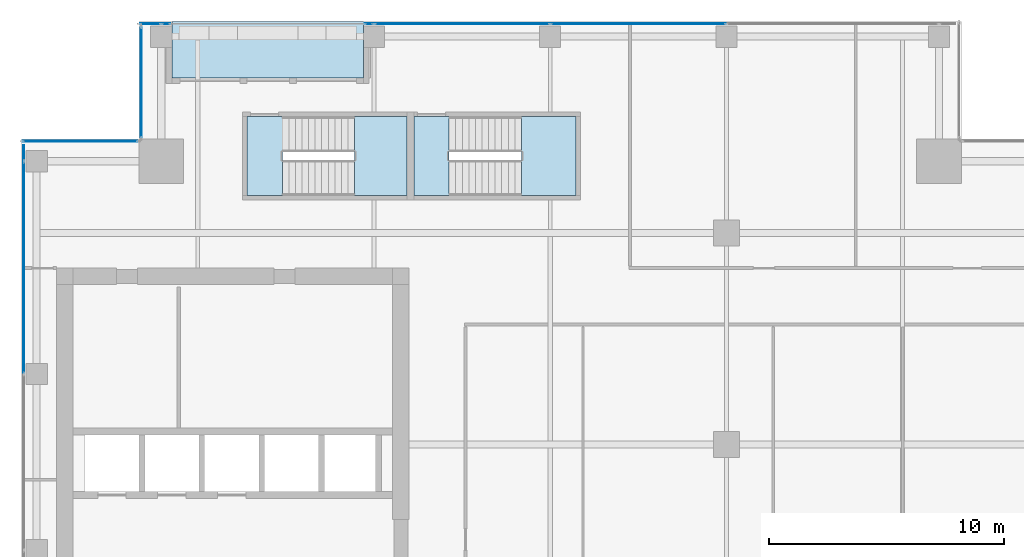
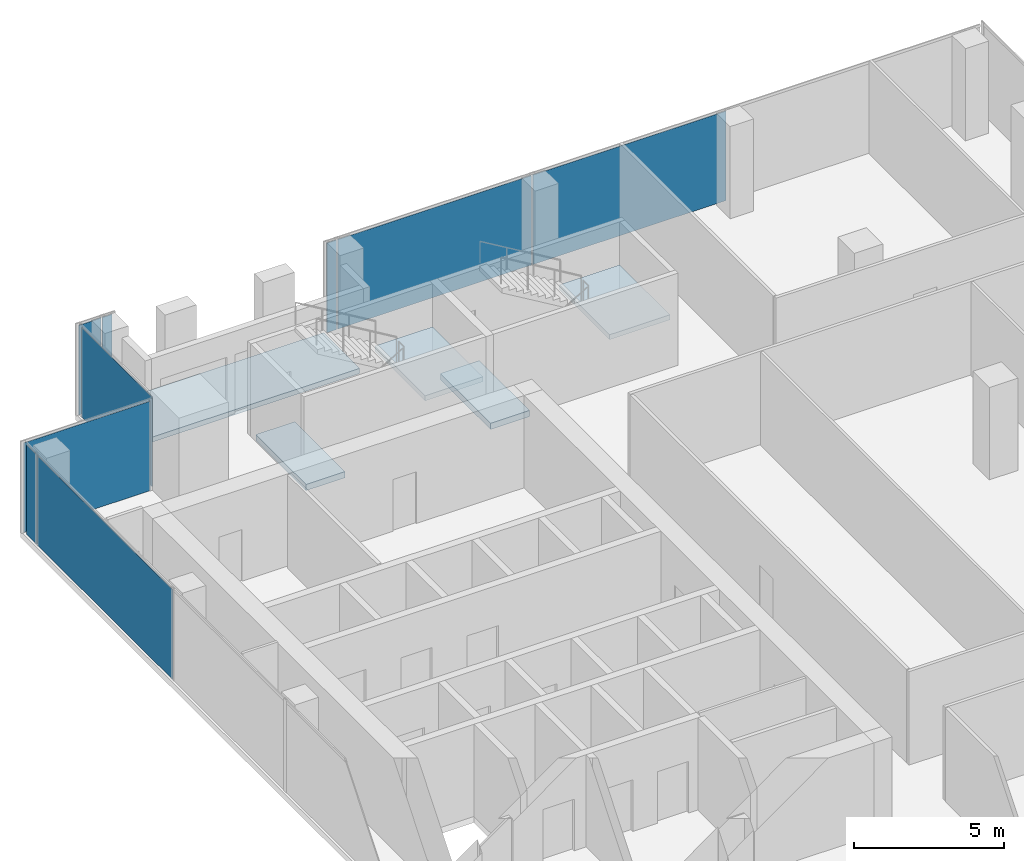
# One storey, part 28 of 35: 9 plates, 5 slabs, 7 elements without a shape of their own.
"""IFC4 building model written with IfcOpenShell, lengths in metres."""

from ifc_helpers import new_model, si_unit, direction, frame, origin, origin_2d, place, context, subcontext, project, spatial, polyline, rectangle, outline, extrude, source, transform, mapped, material, layer, layer_set, type_object, element, aggregate, save


model = new_model("IFC4")

# Units and contexts
model_context = context("Model", 3, precision=1e-05, world=origin(), true_north=direction((0.0, 1.0)))
body_context = subcontext(model_context, "Body", "Model", "MODEL_VIEW")
ifc_project = project(units=[si_unit("LENGTHUNIT", "METRE"), si_unit("AREAUNIT", "SQUARE_METRE"), si_unit("VOLUMEUNIT", "CUBIC_METRE"), si_unit("PLANEANGLEUNIT", "RADIAN"), si_unit("MASSUNIT", "GRAM", prefix="KILO")], contexts=[model_context])

# Site, building, storey
site_placement = place(None, origin())
site = spatial("IfcSite", under=ifc_project, at=site_placement, CompositionType="ELEMENT")
building_placement = place(site_placement, origin())
building = spatial("IfcBuilding", under=site, at=building_placement, Name="Khomas Fold Tower", CompositionType="ELEMENT")
storey_placement = place(building_placement, frame((0.0, 0.0, 262.199951171875)))
storey = spatial("IfcBuildingStorey", under=building, at=storey_placement, Name="L59", CompositionType="ELEMENT", Elevation=262.199951171875)

# Curtain wall, plate
ifc_material_1 = material(Name="Aluminium framed double glazing", Category="aluminium")
curtain_wall_type = type_object("IfcCurtainWallType", Name="SK-Unitised clear-glass wall, office floors CW2", PredefinedType="NOTDEFINED", material=ifc_material_1)
curtain_wall_1_placement = place(storey_placement, origin())
curtain_wall_1 = element("IfcCurtainWall", 1, at=curtain_wall_1_placement, inside=storey, type_object=curtain_wall_type, Name="CW2 run L59 09-0", PredefinedType="NOTDEFINED")
ifc_material_2 = material(Name="Clear double glazed unit")
ifc_layer_1 = layer(ifc_material_2, 0.030029296875)
ifc_layer_set_1 = layer_set([ifc_layer_1], Name="Clear double glazed unit")
plate_type = type_object("IfcPlateType", Name="SK-Unitised clear-glass wall, office floors glass panel CW2-P", PredefinedType="CURTAIN_PANEL", material=ifc_layer_set_1)
shared_shape_1 = source(origin(), body_context, "Body", "SweptSolid", [
    extrude(rectangle(XDim=0.659912109375, YDim=0.030029296875, at=origin_2d()), origin(), (0.0, 0.0, 1.0), 3.639892578125),
])
plate_1_placement = place(storey_placement, frame((4.60009765625, 43.909912109375, 0.0), z_axis=(0.0, 0.0, 1.0), x_axis=(0.0, -1.0, 0.0)))
plate_1 = element("IfcPlate", 2, at=plate_1_placement, type_object=plate_type, Name="CW2 glass panel 1", PredefinedType="CURTAIN_PANEL", context=body_context, shape_type="MappedRepresentation", body=[
    mapped(shared_shape_1, transform((0.0, 0.0, 0.0))),
])

# Curtain wall, plates
curtain_wall_2_placement = place(storey_placement, origin())
curtain_wall_2 = element("IfcCurtainWall", 3, at=curtain_wall_2_placement, inside=storey, type_object=curtain_wall_type, Name="CW2 run L59 06-0", PredefinedType="NOTDEFINED")
shared_shape_2 = source(origin(), body_context, "Body", "SweptSolid", [
    extrude(rectangle(XDim=7.43994140625, YDim=0.030029296875, at=origin_2d()), origin(), (0.0, 0.0, 1.0), 3.639892578125),
])
plate_2_placement = place(storey_placement, frame((30.75, 49.39990234375, 0.0), z_axis=(0.0, 0.0, 1.0), x_axis=(-1.0, 0.0, 0.0)))
plate_2 = element("IfcPlate", 4, at=plate_2_placement, type_object=plate_type, Name="CW2 glass panel 3", PredefinedType="CURTAIN_PANEL", context=body_context, shape_type="MappedRepresentation", body=[
    mapped(shared_shape_2, transform((0.0, 0.0, 0.0))),
])
plate_3_placement = place(storey_placement, frame((23.25, 49.39990234375, 0.0), z_axis=(0.0, 0.0, 1.0), x_axis=(-1.0, 0.0, 0.0)))
plate_3 = element("IfcPlate", 5, at=plate_3_placement, type_object=plate_type, Name="CW2 glass panel 4", PredefinedType="CURTAIN_PANEL", context=body_context, shape_type="MappedRepresentation", body=[
    mapped(shared_shape_2, transform((0.0, 0.0, 0.0))),
])

# Curtain wall, plate
curtain_wall_3_placement = place(storey_placement, origin())
curtain_wall_3 = element("IfcCurtainWall", 6, at=curtain_wall_3_placement, inside=storey, type_object=curtain_wall_type, Name="CW2 run L59 06-1", PredefinedType="NOTDEFINED")
shared_shape_3 = source(origin(), body_context, "Body", "SweptSolid", [
    extrude(rectangle(XDim=0.860107421875, YDim=0.030029296875, at=origin_2d()), origin(), (0.0, 0.0, 1.0), 3.639892578125),
])
plate_4_placement = place(storey_placement, frame((9.989990234375, 49.39990234375, 0.0), z_axis=(0.0, 0.0, 1.0), x_axis=(-1.0, 0.0, 0.0)))
plate_4 = element("IfcPlate", 7, at=plate_4_placement, type_object=plate_type, Name="CW2 glass panel 2", PredefinedType="CURTAIN_PANEL", context=body_context, shape_type="MappedRepresentation", body=[
    mapped(shared_shape_3, transform((0.0, 0.0, 0.0))),
])

# Plate
shared_shape_4 = source(origin(), body_context, "Body", "SweptSolid", [
    extrude(rectangle(XDim=8.989990234375, YDim=0.030029296875, at=origin_2d()), origin(), (0.0, 0.0, 1.0), 3.639892578125),
])
plate_5_placement = place(storey_placement, frame((4.60009765625, 39.02490234375, 0.0), z_axis=(0.0, 0.0, 1.0), x_axis=(0.0, -1.0, 0.0)))
plate_5 = element("IfcPlate", 8, at=plate_5_placement, type_object=plate_type, Name="CW2 glass panel 2", PredefinedType="CURTAIN_PANEL", context=body_context, shape_type="MappedRepresentation", body=[
    mapped(shared_shape_4, transform((0.0, 0.0, 0.0))),
])

aggregate(curtain_wall_1, [plate_1, plate_5])

# Curtain wall, plate
curtain_wall_4_placement = place(storey_placement, origin())
curtain_wall_4 = element("IfcCurtainWall", 9, at=curtain_wall_4_placement, inside=storey, type_object=curtain_wall_type, Name="CW2 corner return L59 07", PredefinedType="NOTDEFINED")
shared_shape_5 = source(origin(), body_context, "Body", "SweptSolid", [
    extrude(rectangle(XDim=4.679931640625, YDim=0.030029296875, at=origin_2d()), origin(), (0.0, 0.0, 1.0), 3.639892578125),
])
plate_6_placement = place(storey_placement, frame((9.60009765625, 46.89990234375, 0.0), z_axis=(0.0, 0.0, 1.0), x_axis=(0.0, -1.0, 0.0)))
plate_6 = element("IfcPlate", 10, at=plate_6_placement, type_object=plate_type, Name="CW2 glass panel 1", PredefinedType="CURTAIN_PANEL", context=body_context, shape_type="MappedRepresentation", body=[
    mapped(shared_shape_5, transform((0.0, 0.0, 0.0))),
])
aggregate(curtain_wall_4, [plate_6])

curtain_wall_5_placement = place(storey_placement, origin())
curtain_wall_5 = element("IfcCurtainWall", 11, at=curtain_wall_5_placement, inside=storey, type_object=curtain_wall_type, Name="CW2 corner return L59 08", PredefinedType="NOTDEFINED")
shared_shape_6 = source(origin(), body_context, "Body", "SweptSolid", [
    extrude(rectangle(XDim=4.8798828125, YDim=0.030029296875, at=origin_2d()), origin(), (0.0, 0.0, 1.0), 3.639892578125),
])
plate_7_placement = place(storey_placement, frame((7.0, 44.39990234375, 0.0), z_axis=(0.0, 0.0, 1.0), x_axis=(-1.0, 0.0, 0.0)))
plate_7 = element("IfcPlate", 12, at=plate_7_placement, type_object=plate_type, Name="CW2 glass panel 1", PredefinedType="CURTAIN_PANEL", context=body_context, shape_type="MappedRepresentation", body=[
    mapped(shared_shape_6, transform((0.0, 0.0, 0.0))),
])
aggregate(curtain_wall_5, [plate_7])

# Plate
shared_shape_7 = source(origin(), body_context, "Body", "SweptSolid", [
    extrude(rectangle(XDim=0.360107421875, YDim=0.030029296875, at=origin_2d()), origin(), (0.0, 0.0, 1.0), 3.639892578125),
])
plate_8_placement = place(storey_placement, frame((19.2900390625, 49.39990234375, 0.0), z_axis=(0.0, 0.0, 1.0), x_axis=(-1.0, 0.0, 0.0)))
plate_8 = element("IfcPlate", 13, at=plate_8_placement, type_object=plate_type, Name="CW2 glass panel 5", PredefinedType="CURTAIN_PANEL", context=body_context, shape_type="MappedRepresentation", body=[
    mapped(shared_shape_7, transform((0.0, 0.0, 0.0))),
])

aggregate(curtain_wall_2, [plate_2, plate_3, plate_8])

plate_9_placement = place(storey_placement, frame((10.659912109375, 49.39990234375, 0.0), z_axis=(0.0, 0.0, 1.0), x_axis=(-1.0, 0.0, 0.0)))
plate_9 = element("IfcPlate", 14, at=plate_9_placement, type_object=plate_type, Name="CW2 glass panel 1", PredefinedType="CURTAIN_PANEL", context=body_context, shape_type="MappedRepresentation", body=[
    mapped(shared_shape_7, transform((0.0, 0.0, 0.0))),
])

aggregate(curtain_wall_3, [plate_9, plate_4])

# Slab
ifc_material_3 = material(Name="Concrete C40/50", Category="concrete")
ifc_layer_2 = layer(ifc_material_3, 0.205078125)
ifc_layer_set_2 = layer_set([ifc_layer_2], Name="Concrete C40/50")
slab_type_1 = type_object("IfcSlabType", Name="BL-Balcony deck 205", PredefinedType="FLOOR", material=ifc_layer_set_2)
shared_shape_8 = source(origin(), body_context, "Body", "SweptSolid", [
    extrude(outline(polyline([(10.89990234375, 47.10009765625), (19.050048828125, 47.10009765625), (19.050048828125, 49.5), (10.89990234375, 49.5), (10.89990234375, 47.10009765625)])), origin(), (0.0, 0.0, 1.0), 0.205078125),
])
slab_1_placement = place(storey_placement, frame((0.0, 0.0, -0.25)))
element("IfcSlab", 15, at=slab_1_placement, inside=storey, type_object=slab_type_1, Name="Balcony deck BAL-L59-N1", PredefinedType="FLOOR", context=body_context, shape_type="MappedRepresentation", body=[
    mapped(shared_shape_8, transform((0.0, 0.0, 0.0))),
])

# Stair, slab
ifc_material_4 = material(Name="Concrete C40/50", Category="concrete")
stair_type_1 = type_object("IfcStairType", Name="Stair ST1", PredefinedType="HALF_TURN_STAIR", material=ifc_material_4)
stair_1_placement = place(storey_placement, origin())
stair_1 = element("IfcStair", 16, at=stair_1_placement, inside=storey, type_object=stair_type_1, Name="L59 ST1", PredefinedType="HALF_TURN_STAIR")
ifc_material_5 = material(Name="Concrete C40/50", Category="concrete")
ifc_layer_3 = layer(ifc_material_5, 0.199951171875)
ifc_layer_set_3 = layer_set([ifc_layer_3], Name="Concrete C40/50")
slab_type_2 = type_object("IfcSlabType", Name="Stair landing 200", PredefinedType="LANDING", material=ifc_layer_set_3)
shared_shape_9 = source(origin(), body_context, "Body", "SweptSolid", [
    extrude(outline(polyline([(18.679931640625, 42.10009765625), (20.89990234375, 42.10009765625), (20.89990234375, 45.449951171875), (18.679931640625, 45.449951171875), (18.679931640625, 42.10009765625)])), origin(), (0.0, 0.0, 1.0), 0.199951171875),
])
slab_2_placement = place(storey_placement, frame((0.0, 0.0, 1.800048828125)))
slab_2 = element("IfcSlab", 17, at=slab_2_placement, type_object=slab_type_2, Name="ST1 landing 1", PredefinedType="LANDING", context=body_context, shape_type="MappedRepresentation", body=[
    mapped(shared_shape_9, transform((0.0, 0.0, 0.0))),
])
aggregate(stair_1, [slab_2])

# Slab
ifc_material_6 = material(Name="Concrete C40/50", Category="concrete")
ifc_layer_4 = layer(ifc_material_6, 0.25)
ifc_layer_set_4 = layer_set([ifc_layer_4], Name="Concrete C40/50")
slab_type_3 = type_object("IfcSlabType", Name="Stair floor landing 250", PredefinedType="LANDING", material=ifc_layer_set_4)
shared_shape_10 = source(origin(), body_context, "Body", "SweptSolid", [
    extrude(outline(polyline([(15.60009765625, 42.10009765625), (14.10009765625, 42.10009765625), (14.10009765625, 45.449951171875), (15.60009765625, 45.449951171875), (15.60009765625, 42.10009765625)])), origin(), (0.0, 0.0, 1.0), 0.25),
])
slab_3_placement = place(storey_placement, frame((0.0, 0.0, -0.25)))
element("IfcSlab", 18, at=slab_3_placement, inside=storey, type_object=slab_type_3, Name="ST1 floor landing", PredefinedType="LANDING", context=body_context, shape_type="MappedRepresentation", body=[
    mapped(shared_shape_10, transform((0.0, 0.0, 0.0))),
])

# Stair, slab
ifc_material_7 = material(Name="Concrete C40/50", Category="concrete")
stair_type_2 = type_object("IfcStairType", Name="Stair ST3", PredefinedType="HALF_TURN_STAIR", material=ifc_material_7)
stair_2_placement = place(storey_placement, origin())
stair_2 = element("IfcStair", 19, at=stair_2_placement, inside=storey, type_object=stair_type_2, Name="L59 ST3", PredefinedType="HALF_TURN_STAIR")
shared_shape_11 = source(origin(), body_context, "Body", "SweptSolid", [
    extrude(outline(polyline([(25.780029296875, 42.10009765625), (28.10009765625, 42.10009765625), (28.10009765625, 45.449951171875), (25.780029296875, 45.449951171875), (25.780029296875, 42.10009765625)])), origin(), (0.0, 0.0, 1.0), 0.199951171875),
])
slab_4_placement = place(storey_placement, frame((0.0, 0.0, 1.800048828125)))
slab_4 = element("IfcSlab", 20, at=slab_4_placement, type_object=slab_type_2, Name="ST3 landing 1", PredefinedType="LANDING", context=body_context, shape_type="MappedRepresentation", body=[
    mapped(shared_shape_11, transform((0.0, 0.0, 0.0))),
])
aggregate(stair_2, [slab_4])

# Slab
shared_shape_12 = source(origin(), body_context, "Body", "SweptSolid", [
    extrude(outline(polyline([(22.699951171875, 42.10009765625), (21.199951171875, 42.10009765625), (21.199951171875, 45.449951171875), (22.699951171875, 45.449951171875), (22.699951171875, 42.10009765625)])), origin(), (0.0, 0.0, 1.0), 0.25),
])
slab_5_placement = place(storey_placement, frame((0.0, 0.0, -0.25)))
element("IfcSlab", 21, at=slab_5_placement, inside=storey, type_object=slab_type_3, Name="ST3 floor landing", PredefinedType="LANDING", context=body_context, shape_type="MappedRepresentation", body=[
    mapped(shared_shape_12, transform((0.0, 0.0, 0.0))),
])

save(model, "model.ifc")
